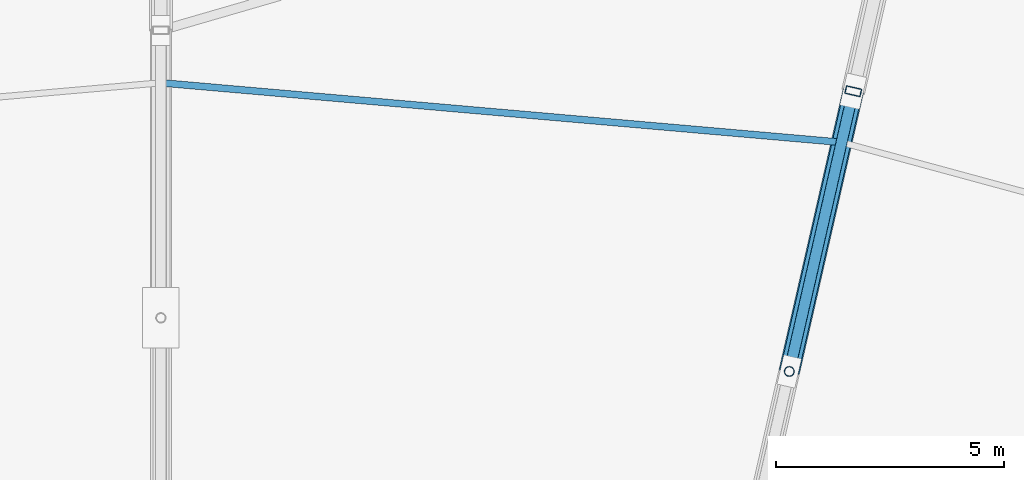
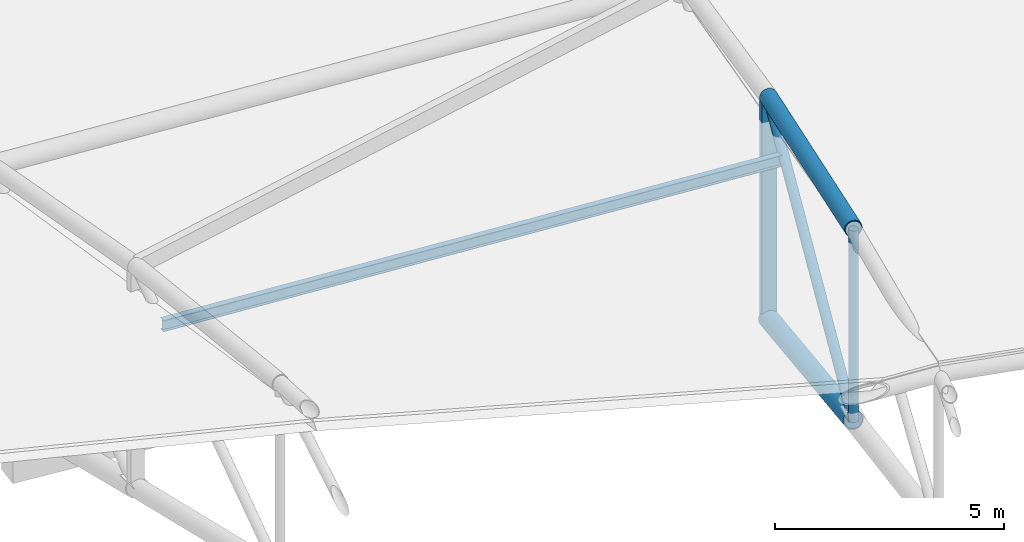
# One storey, part 56 of 108: 6 members.
"""IFC4 building model written with IfcOpenShell, lengths in metres."""

from ifc_helpers import new_model, si_unit, direction, frame, origin, origin_2d, place, context, subcontext, project, spatial, hollow_rectangle, hollow_circle, i_section, extrude, material, material_profile, profile_set, type_object, element, save


model = new_model("IFC4")

# Units and contexts
model_context = context("Model", 3, precision=1e-05, world=origin(), true_north=direction((0.0, 1.0)))
body_context = subcontext(model_context, "Body", "Model", "MODEL_VIEW")
ifc_project = project(units=[si_unit("LENGTHUNIT", "METRE"), si_unit("AREAUNIT", "SQUARE_METRE"), si_unit("VOLUMEUNIT", "CUBIC_METRE"), si_unit("PLANEANGLEUNIT", "RADIAN"), si_unit("MASSUNIT", "GRAM", prefix="KILO")], contexts=[model_context])

# Site, building, storey
site_placement = place(None, origin())
site = spatial("IfcSite", under=ifc_project, at=site_placement, CompositionType="ELEMENT")
building_placement = place(site_placement, origin())
building = spatial("IfcBuilding", under=site, at=building_placement, Name="Zevraka Park Crest Stadium", CompositionType="ELEMENT")
storey_placement = place(building_placement, frame((0.0, 0.0, 29.39990234375)))
storey = spatial("IfcBuildingStorey", under=building, at=storey_placement, Name="RF", CompositionType="ELEMENT", Elevation=29.39990234375)

# Members
ifc_material_1 = material(Name="Steel S355", Category="steel")
ifc_material_profile_1 = material_profile(ifc_material_1, i_section(OverallWidth=0.14990234375, OverallDepth=0.300048828125, WebThickness=0.007080078125, FlangeThickness=0.0107421875, at=origin_2d()), Name="IPE 300")
ifc_profile_set_1 = profile_set([ifc_material_profile_1], Name="Steel S355")
member_type_1 = type_object("IfcMemberType", Name="PR02", PredefinedType="PURLIN", material=ifc_profile_set_1)
member_1_placement = place(storey_placement, frame((126.919921875, 142.74609375, 7.47314453125), z_axis=(-0.996196972485, 0.087129742406, 0.0), x_axis=(-0.087129742406, -0.996196972485, 0.0)))
element("IfcMember", 1, at=member_1_placement, inside=storey, type_object=member_type_1, Name="Canopy Roof Purlin PR02 OUTER-07-2", PredefinedType="PURLIN", context=body_context, shape_type="SweptSolid", body=[
    extrude(i_section(OverallWidth=0.14990234375, OverallDepth=0.300048828125, WebThickness=0.007080078125, FlangeThickness=0.0107421875, at=origin_2d()), origin(), (0.0, 0.0, 1.0), 14.976806640625),
])
ifc_material_2 = material(Name="Steel S355", Category="steel")
ifc_material_profile_2 = material_profile(ifc_material_2, hollow_circle(Radius=0.228515625, WallThickness=0.02490234375, at=origin_2d()), Name="CHS 457.0x25")
ifc_profile_set_2 = profile_set([ifc_material_profile_2], Name="Steel S355")
member_type_2 = type_object("IfcMemberType", Name="TC02", PredefinedType="CHORD", material=ifc_profile_set_2)
member_2_placement = place(storey_placement, frame((127.176025390625, 143.865966796875, 2.4501953125), z_axis=(-0.2165081374, -0.948405922439, 0.231625630539), x_axis=(0.974918840686, -0.222560675043, 0.0)))
element("IfcMember", 2, at=member_2_placement, inside=storey, type_object=member_type_2, Name="Roof Truss Bottom Chord TC02 T07-4", PredefinedType="CHORD", context=body_context, shape_type="SweptSolid", body=[
    extrude(hollow_circle(Radius=0.228515625, WallThickness=0.02490234375, at=origin_2d()), origin(), (0.0, 0.0, 1.0), 6.47607421875),
])
ifc_material_3 = material(Name="Steel S355", Category="steel")
ifc_material_profile_3 = material_profile(ifc_material_3, hollow_circle(Radius=0.203125, WallThickness=0.02001953125, at=origin_2d()), Name="CHS 406.4x20")
ifc_profile_set_3 = profile_set([ifc_material_profile_3], Name="Steel S355")
member_type_3 = type_object("IfcMemberType", Name="TC03", PredefinedType="CHORD", material=ifc_profile_set_3)
member_3_placement = place(storey_placement, frame((127.176025390625, 143.865966796875, 8.35009765625), z_axis=(-0.221199560267, -0.968956527537, 0.110426456432), x_axis=(0.974918840686, -0.222560675043, 0.0)))
element("IfcMember", 3, at=member_3_placement, inside=storey, type_object=member_type_3, Name="Roof Truss Top Chord TC03 T07-4", PredefinedType="CHORD", context=body_context, shape_type="SweptSolid", body=[
    extrude(hollow_circle(Radius=0.203125, WallThickness=0.02001953125, at=origin_2d()), origin(), (0.0, 0.0, 1.0), 6.338623046875),
])
ifc_material_4 = material(Name="Steel S355", Category="steel")
ifc_material_profile_4 = material_profile(ifc_material_4, hollow_circle(Radius=0.109619140625, WallThickness=0.010009765625, at=origin_2d()), Name="CHS 219.1x10")
ifc_profile_set_4 = profile_set([ifc_material_profile_4], Name="Steel S355")
member_type_4 = type_object("IfcMemberType", Name="WB02", PredefinedType="BRACE", material=ifc_profile_set_4)
member_4_placement = place(storey_placement, frame((125.77392578125, 137.72412109375, 3.9501953125), z_axis=(0.0, 0.0, 1.0), x_axis=(0.222569549971, 0.974916814618, 0.0)))
element("IfcMember", 4, at=member_4_placement, inside=storey, type_object=member_type_4, Name="Roof Truss Web Post WB02 T07-4", PredefinedType="BRACE", context=body_context, shape_type="SweptSolid", body=[
    extrude(hollow_circle(Radius=0.109619140625, WallThickness=0.010009765625, at=origin_2d()), origin(), (0.0, 0.0, 1.0), 5.099853515625),
])
ifc_material_5 = material(Name="Steel S355", Category="steel")
ifc_material_profile_5 = material_profile(ifc_material_5, hollow_circle(Radius=0.122314453125, WallThickness=0.012451171875, at=origin_2d()), Name="CHS 244.5x12.5")
ifc_profile_set_5 = profile_set([ifc_material_profile_5], Name="Steel S355")
member_type_5 = type_object("IfcMemberType", Name="WB07", PredefinedType="BRACE", material=ifc_profile_set_5)
member_5_placement = place(storey_placement, frame((125.77392578125, 137.72412109375, 3.9501953125), z_axis=(0.182464706824, 0.799279928534, 0.572589055612), x_axis=(-0.974918840686, 0.222560675043, 0.0)))
element("IfcMember", 5, at=member_5_placement, inside=storey, type_object=member_type_5, Name="Roof Truss Web Diagonal WB07 T07-4", PredefinedType="BRACE", context=body_context, shape_type="SweptSolid", body=[
    extrude(hollow_circle(Radius=0.122314453125, WallThickness=0.012451171875, at=origin_2d()), origin(), (0.0, 0.0, 1.0), 7.684326171875),
])
ifc_material_6 = material(Name="Steel S355", Category="steel")
ifc_material_profile_6 = material_profile(ifc_material_6, hollow_rectangle(XDim=0.175048828125, YDim=0.35009765625, WallThickness=0.012451171875, at=origin_2d()), Name="RHS 350x175x12.5")
ifc_profile_set_6 = profile_set([ifc_material_profile_6], Name="Steel S355")
member_type_6 = type_object("IfcMemberType", Name="WB09", PredefinedType="BRACE", material=ifc_profile_set_6)
member_6_placement = place(storey_placement, frame((127.176025390625, 143.865966796875, 2.4501953125), z_axis=(0.0, 0.0, 1.0), x_axis=(0.222569549971, 0.974916814618, 0.0)))
element("IfcMember", 6, at=member_6_placement, inside=storey, type_object=member_type_6, Name="Roof Truss Web Post WB09 T07-3", PredefinedType="BRACE", context=body_context, shape_type="SweptSolid", body=[
    extrude(hollow_rectangle(XDim=0.175048828125, YDim=0.35009765625, WallThickness=0.012451171875, at=origin_2d()), origin(), (0.0, 0.0, 1.0), 5.89990234375),
])

save(model, "model.ifc")
